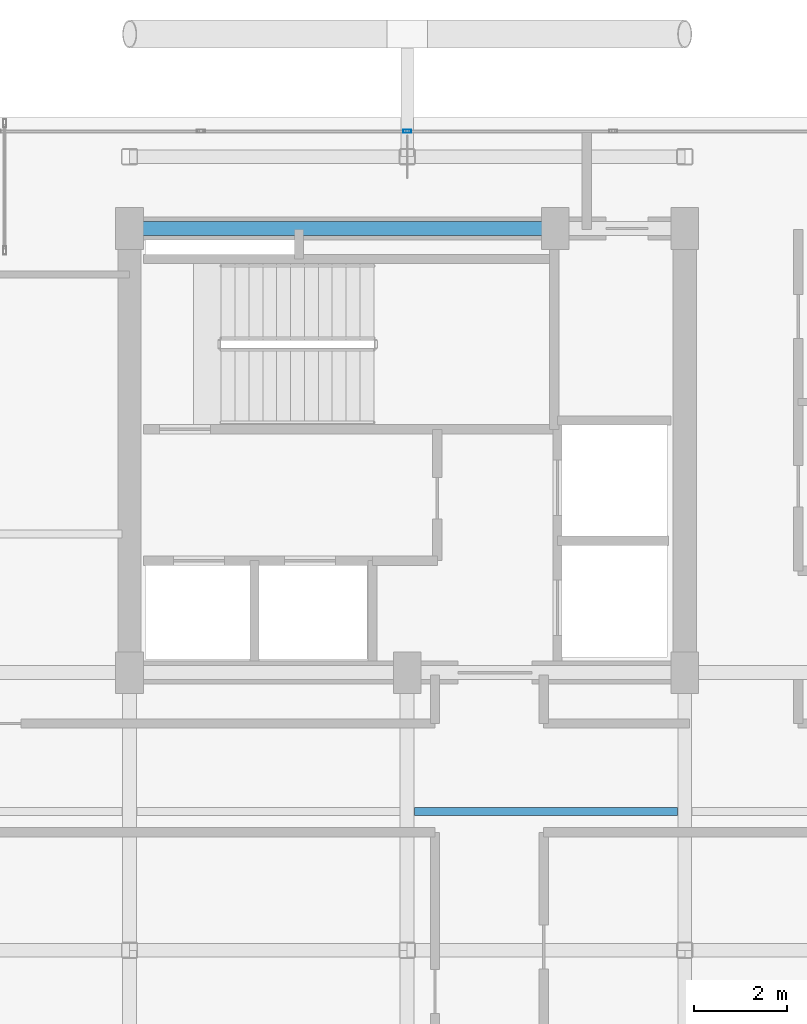
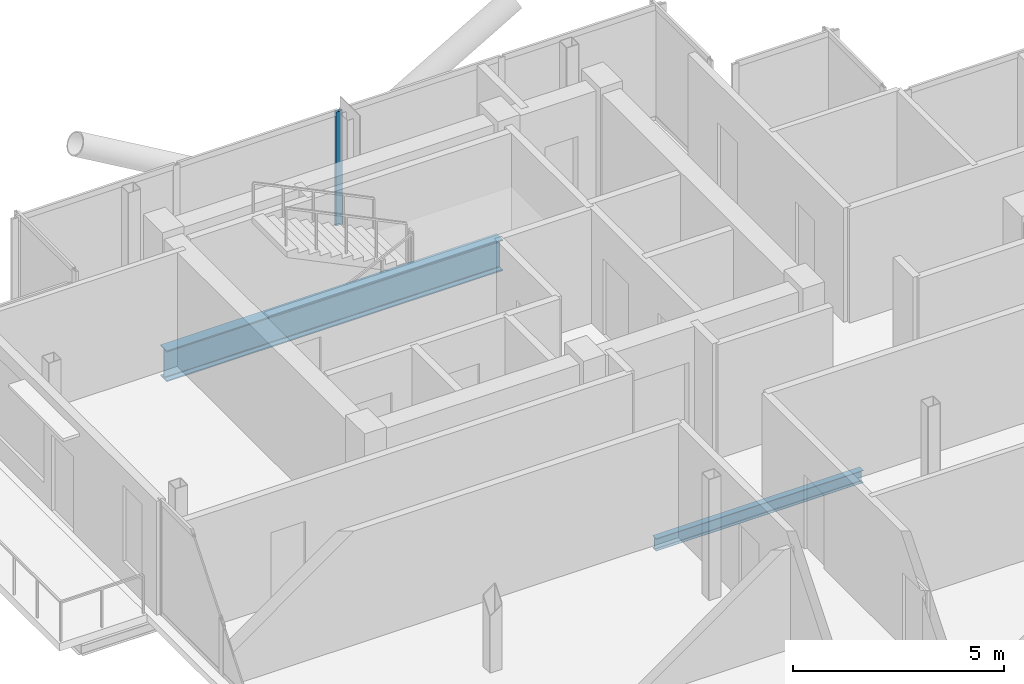
# One storey, part 8 of 18: 2 beams, 1 member, 1 element without a shape of its own.
"""IFC4 building model written with IfcOpenShell, lengths in metres."""

from ifc_helpers import new_model, si_unit, direction, frame, origin, origin_2d, place, context, subcontext, project, spatial, hollow_rectangle, i_section, extrude, material, layer, layer_set, material_profile, profile_set, type_object, element, aggregate, save


model = new_model("IFC4")

# Units and contexts
model_context = context("Model", 3, precision=1e-05, world=origin(), true_north=direction((0.0, 1.0)))
body_context = subcontext(model_context, "Body", "Model", "MODEL_VIEW")
ifc_project = project(units=[si_unit("LENGTHUNIT", "METRE"), si_unit("AREAUNIT", "SQUARE_METRE"), si_unit("VOLUMEUNIT", "CUBIC_METRE"), si_unit("PLANEANGLEUNIT", "RADIAN"), si_unit("MASSUNIT", "GRAM", prefix="KILO"), si_unit("THERMODYNAMICTEMPERATUREUNIT", "KELVIN"), si_unit("POWERUNIT", "WATT")], contexts=[model_context])

# Site, building, storey
site_placement = place(None, origin())
site = spatial("IfcSite", under=ifc_project, at=site_placement, CompositionType="ELEMENT")
building_placement = place(site_placement, origin())
building = spatial("IfcBuilding", under=site, at=building_placement, Name="Svarakhadi Broadcast Tower", CompositionType="ELEMENT")
storey_placement = place(building_placement, frame((0.0, 0.0, 274.699951171875)))
storey = spatial("IfcBuildingStorey", under=building, at=storey_placement, Name="L69", CompositionType="ELEMENT", Elevation=274.699951171875)

# Beam
ifc_material_1 = material(Name="Steel S355J2 (IS 2062 E350C)", Category="steel")
ifc_material_profile_1 = material_profile(ifc_material_1, i_section(OverallWidth=0.169921875, OverallDepth=0.360107421875, WebThickness=0.008056640625, FlangeThickness=0.0126953125, FilletRadius=0.01806640625, at=origin_2d()), Name="NPB 360x170x57")
ifc_profile_set_1 = profile_set([ifc_material_profile_1], Name="Steel S355J2 (IS 2062 E350C)")
beam_type_1 = type_object("IfcBeamType", Name="Beam_NPB360", PredefinedType="BEAM", material=ifc_profile_set_1)
beam_1_placement = place(storey_placement, frame((12.159912109375, 15.0, -0.3798828125), z_axis=(1.0, 0.0, 0.0), x_axis=(0.0, 1.0, 0.0)))
element("IfcBeam", 1, at=beam_1_placement, inside=storey, type_object=beam_type_1, Name="L69 Secondary Composite Beam SB009", PredefinedType="BEAM", context=body_context, shape_type="SweptSolid", body=[
    extrude(i_section(OverallWidth=0.169921875, OverallDepth=0.360107421875, WebThickness=0.008056640625, FlangeThickness=0.0126953125, FilletRadius=0.01806640625, at=origin_2d()), origin(), (0.0, 0.0, 1.0), 5.68017578125),
])

# Curtain wall, member
ifc_material_2 = material(Name="Anodised Bronze Aluminium AA 6063-T6", Category="aluminium")
ifc_layer = layer(ifc_material_2, 0.179931640625)
ifc_layer_set = layer_set([ifc_layer], Name="Anodised Bronze Aluminium AA 6063-T6")
curtain_wall_type = type_object("IfcCurtainWallType", Name="CW_Sys_05", PredefinedType="NOTDEFINED", material=ifc_layer_set)
curtain_wall_placement = place(storey_placement, origin())
curtain_wall = element("IfcCurtainWall", 2, at=curtain_wall_placement, inside=storey, type_object=curtain_wall_type, Name="L69 Unitised Facade Curtain Wall 05", PredefinedType="NOTDEFINED")
ifc_material_profile_2 = material_profile(ifc_material_2, hollow_rectangle(XDim=0.070068359375, YDim=0.179931640625, WallThickness=0.005615234375, at=origin_2d()), Name="ALU MULLION 180x70x6")
ifc_profile_set_2 = profile_set([ifc_material_profile_2], Name="Anodised Bronze Aluminium AA 6063-T6")
member_type = type_object("IfcMemberType", Name="CW_Sys_05_Mul", PredefinedType="MULLION", material=ifc_profile_set_2)
member_placement = place(storey_placement, frame((12.0, 29.699951171875, 0.0), z_axis=(0.0, 0.0, 1.0), x_axis=(0.0, 1.0, 0.0)))
member = element("IfcMember", 3, at=member_placement, type_object=member_type, Name="CW-05 mullion 3", PredefinedType="MULLION", context=body_context, shape_type="SweptSolid", body=[
    extrude(hollow_rectangle(XDim=0.070068359375, YDim=0.179931640625, WallThickness=0.005615234375, at=origin_2d()), origin(), (0.0, 0.0, 1.0), 3.300048828125),
])
aggregate(curtain_wall, [member])

# Beam
ifc_material_3 = material(Name="Steel S460ML (IS 2062 E450BR)", Category="steel")
ifc_material_profile_3 = material_profile(ifc_material_3, i_section(OverallWidth=0.300048828125, OverallDepth=0.89990234375, WebThickness=0.0185546875, FlangeThickness=0.034912109375, FilletRadius=0.030029296875, at=origin_2d()), Name="WPB 900x300x291")
ifc_profile_set_3 = profile_set([ifc_material_profile_3], Name="Steel S460ML (IS 2062 E450BR)")
beam_type_2 = type_object("IfcBeamType", Name="Girder_WPB900", PredefinedType="USERDEFINED", material=ifc_profile_set_3)
beam_2_placement = place(storey_placement, frame((6.0, 27.60009765625, -0.64990234375), z_axis=(1.0, 0.0, 0.0), x_axis=(0.0, 1.0, 0.0)))
element("IfcBeam", 4, at=beam_2_placement, inside=storey, type_object=beam_type_2, Name="L69 Primary E-W Girder G022", ObjectType="GIRDER", PredefinedType="USERDEFINED", context=body_context, shape_type="SweptSolid", body=[
    extrude(i_section(OverallWidth=0.300048828125, OverallDepth=0.89990234375, WebThickness=0.0185546875, FlangeThickness=0.034912109375, FilletRadius=0.030029296875, at=origin_2d()), origin(), (0.0, 0.0, 1.0), 9.199951171875),
])

save(model, "model.ifc")
